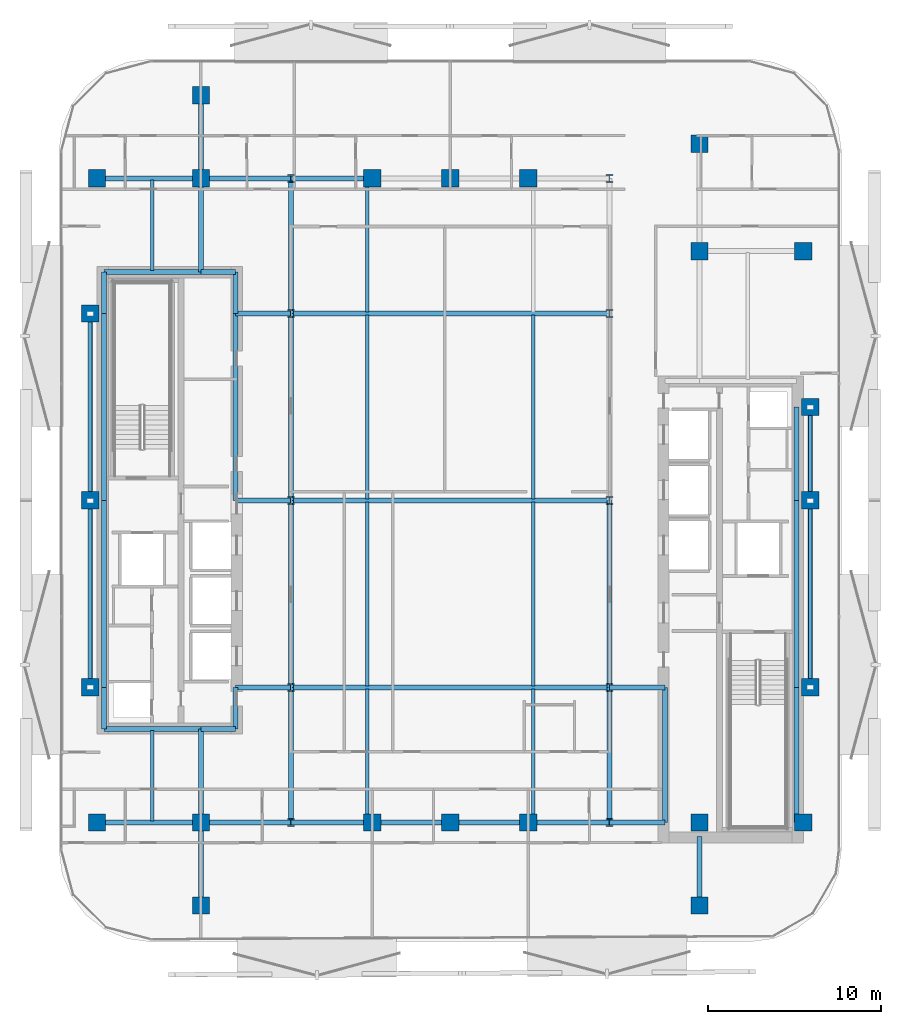
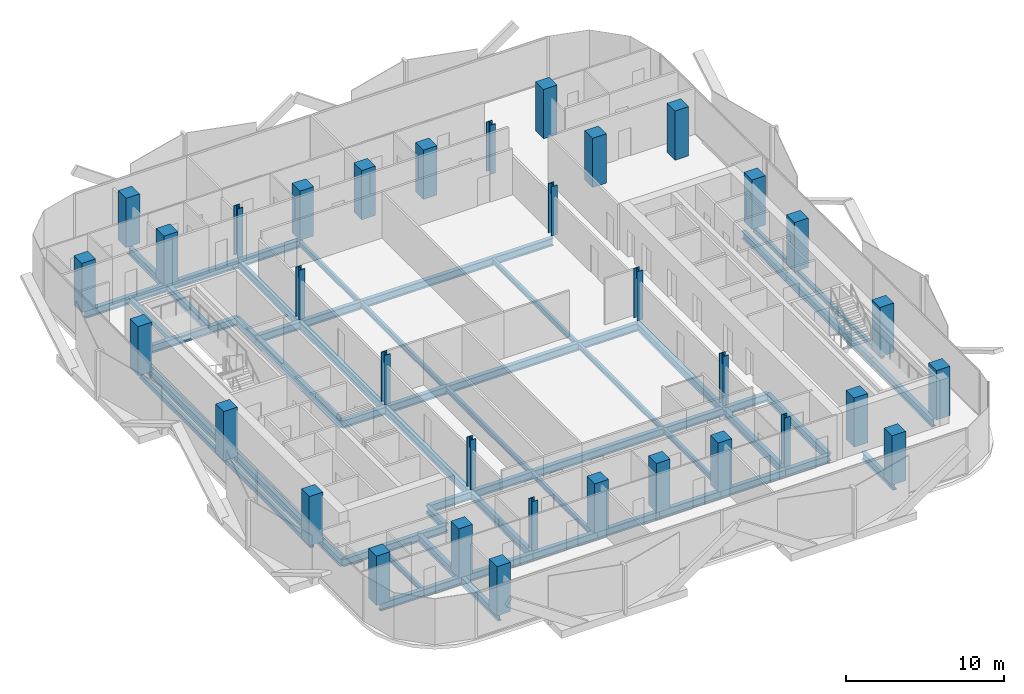
# One storey, part 1 of 17: 56 beams, 34 columns.
"""IFC4 building model written with IfcOpenShell, lengths in metres."""

from ifc_helpers import new_model, si_unit, direction, frame, origin, origin_2d, place, context, subcontext, project, spatial, rectangle, hollow_rectangle, i_section, extrude, material, material_profile, profile_set, type_object, element, save


model = new_model("IFC4")

# Units and contexts
model_context = context("Model", 3, precision=1e-05, world=origin(), true_north=direction((0.0, 1.0)))
body_context = subcontext(model_context, "Body", "Model", "MODEL_VIEW")
ifc_project = project(units=[si_unit("LENGTHUNIT", "METRE"), si_unit("AREAUNIT", "SQUARE_METRE"), si_unit("VOLUMEUNIT", "CUBIC_METRE"), si_unit("PLANEANGLEUNIT", "RADIAN"), si_unit("MASSUNIT", "GRAM", prefix="KILO")], contexts=[model_context])

# Site, building, storey
site_placement = place(None, origin())
site = spatial("IfcSite", under=ifc_project, at=site_placement, CompositionType="ELEMENT")
building_placement = place(site_placement, origin())
building = spatial("IfcBuilding", under=site, at=building_placement, Name="Khairoan Windgate Tower", CompositionType="ELEMENT")
storey_placement = place(building_placement, frame((0.0, 0.0, 180.199951171875)))
storey = spatial("IfcBuildingStorey", under=building, at=storey_placement, Name="L41", CompositionType="ELEMENT", Elevation=180.199951171875)

# Columns
ifc_material_1 = material(Name="Concrete C50/60", Category="concrete")
ifc_material_profile_1 = material_profile(ifc_material_1, rectangle(XDim=1.0, YDim=1.0, at=origin_2d()))
ifc_profile_set_1 = profile_set([ifc_material_profile_1], Name="Concrete C50/60")
column_type_1 = type_object("IfcColumnType", Name="Column C-T4 RC1000x1000", PredefinedType="COLUMN", material=ifc_profile_set_1)
for number, where, z_axis, x_axis, name in (
    (1, (-20.39990234375, -18.60009765625, 0.0), (0.0, 0.0, 1.0), (1.0, 0.0, 0.0), "Column L41-11"),
    (2, (-20.39990234375, 18.60009765625, 0.0), (0.0, 0.0, 1.0), (1.0, 0.0, 0.0), "Column L41-12"),
    (3, (20.39990234375, -18.60009765625, 0.0), (0.0, 0.0, 1.0), (1.0, 0.0, 0.0), "Column L41-13"),
    (4, (20.39990234375, 14.39990234375, 0.0), (0.0, 0.0, 1.0), (1.0, 0.0, 0.0), "Column L41-14"),
    (5, (-14.39990234375, -18.60009765625, 0.0), (0.0, 0.0, 1.0), (1.0, 0.0, 0.0), "Column L41-15"),
    (6, (-14.39990234375, 18.60009765625, 0.0), (0.0, 0.0, 1.0), (1.0, 0.0, 0.0), "Column L41-16"),
    (7, (14.39990234375, -18.60009765625, 0.0), (0.0, 0.0, 1.0), (1.0, 0.0, 0.0), "Column L41-17"),
    (8, (14.39990234375, 14.39990234375, 0.0), (0.0, 0.0, 1.0), (1.0, 0.0, 0.0), "Column L41-18"),
    (9, (-4.5, -18.60009765625, 0.0), (0.0, 0.0, 1.0), (1.0, 0.0, 0.0), "Column L41-19"),
    (10, (0.0, -18.60009765625, 0.0), (0.0, 0.0, 1.0), (1.0, 0.0, 0.0), "Column L41-20"),
    (11, (4.5, -18.60009765625, 0.0), (0.0, 0.0, 1.0), (1.0, 0.0, 0.0), "Column L41-21"),
    (12, (-4.5, 18.60009765625, 0.0), (0.0, 0.0, 1.0), (1.0, 0.0, 0.0), "Column L41-22"),
    (13, (0.0, 18.60009765625, 0.0), (0.0, 0.0, 1.0), (1.0, 0.0, 0.0), "Column L41-23"),
    (14, (4.5, 18.60009765625, 0.0), (0.0, 0.0, 1.0), (1.0, 0.0, 0.0), "Column L41-24"),
    (15, (-20.800048828125, -10.800048828125, 0.0), (0.0, 0.0, 1.0), (1.0, 0.0, 0.0), "Column L41-25"),
    (16, (-20.800048828125, 0.0, 0.0), (0.0, 0.0, 1.0), (1.0, 0.0, 0.0), "Column L41-26"),
    (17, (-20.800048828125, 10.800048828125, 0.0), (0.0, 0.0, 1.0), (1.0, 0.0, 0.0), "Column L41-27"),
    (18, (20.800048828125, -10.800048828125, 0.0), (0.0, 0.0, 1.0), (1.0, 0.0, 0.0), "Column L41-28"),
    (19, (20.800048828125, 0.0, 0.0), (0.0, 0.0, 1.0), (1.0, 0.0, 0.0), "Column L41-29"),
    (20, (20.800048828125, 5.39990234375, 0.0), (0.0, 0.0, 1.0), (1.0, 0.0, 0.0), "Column L41-30"),
    (21, (-14.39990234375, -23.39990234375, 0.0), (0.0, 0.0, 1.0), (1.0, 0.0, 0.0), "Column L41-31"),
    (22, (-14.39990234375, 23.39990234375, 0.0), (0.0, 0.0, 1.0), (1.0, 0.0, 0.0), "Column L41-32"),
    (23, (14.39990234375, -23.39990234375, 0.0), (0.0, 0.0, 1.0), (1.0, 0.0, 0.0), "Column L41-33"),
    (24, (14.39990234375, 20.60009765625, 0.0), (0.0, 0.0, 1.0), (1.0, 0.0, 0.0), "Column L41-34"),
):
    element("IfcColumn", number, at=place(storey_placement, frame(where, z_axis=z_axis, x_axis=x_axis)), inside=storey, type_object=column_type_1, Name=name, PredefinedType="COLUMN", context=body_context, shape_type="SweptSolid", body=[
        extrude(rectangle(XDim=1.0, YDim=1.0, at=origin_2d()), origin(), (0.0, 0.0, 1.0), 3.800048828125),
    ])
ifc_material_2 = material(Name="Steel S355", Category="steel")
ifc_material_profile_2 = material_profile(ifc_material_2, i_section(OverallWidth=0.4169921875, OverallDepth=0.4580078125, WebThickness=0.030029296875, FlangeThickness=0.050048828125, FilletRadius=0.02197265625, at=origin_2d()))
ifc_profile_set_2 = profile_set([ifc_material_profile_2], Name="Steel S355")
column_type_2 = type_object("IfcColumnType", Name="Steel Column SC2 H458x417x30x50", PredefinedType="COLUMN", material=ifc_profile_set_2)
for number, where, z_axis, x_axis, name in (
    (25, (-9.199951171875, -18.60009765625, 0.0), (0.0, 0.0, 1.0), (1.0, 0.0, 0.0), "Column L41-01"),
    (26, (-9.199951171875, -10.800048828125, 0.0), (0.0, 0.0, 1.0), (1.0, 0.0, 0.0), "Column L41-02"),
    (27, (-9.199951171875, 0.0, 0.0), (0.0, 0.0, 1.0), (1.0, 0.0, 0.0), "Column L41-03"),
    (28, (-9.199951171875, 10.800048828125, 0.0), (0.0, 0.0, 1.0), (1.0, 0.0, 0.0), "Column L41-04"),
    (29, (-9.199951171875, 18.60009765625, 0.0), (0.0, 0.0, 1.0), (1.0, 0.0, 0.0), "Column L41-05"),
    (30, (9.199951171875, -18.60009765625, 0.0), (0.0, 0.0, 1.0), (1.0, 0.0, 0.0), "Column L41-06"),
    (31, (9.199951171875, -10.800048828125, 0.0), (0.0, 0.0, 1.0), (1.0, 0.0, 0.0), "Column L41-07"),
    (32, (9.199951171875, 0.0, 0.0), (0.0, 0.0, 1.0), (1.0, 0.0, 0.0), "Column L41-08"),
    (33, (9.199951171875, 10.800048828125, 0.0), (0.0, 0.0, 1.0), (1.0, 0.0, 0.0), "Column L41-09"),
    (34, (9.199951171875, 18.60009765625, 0.0), (0.0, 0.0, 1.0), (1.0, 0.0, 0.0), "Column L41-10"),
):
    element("IfcColumn", number, at=place(storey_placement, frame(where, z_axis=z_axis, x_axis=x_axis)), inside=storey, type_object=column_type_2, Name=name, PredefinedType="COLUMN", context=body_context, shape_type="SweptSolid", body=[
        extrude(i_section(OverallWidth=0.4169921875, OverallDepth=0.4580078125, WebThickness=0.030029296875, FlangeThickness=0.050048828125, FilletRadius=0.02197265625, at=origin_2d()), origin(), (0.0, 0.0, 1.0), 3.800048828125),
    ])

# Beams
ifc_material_3 = material(Name="Steel S355", Category="steel")
ifc_material_profile_3 = material_profile(ifc_material_3, i_section(OverallWidth=0.300048828125, OverallDepth=0.587890625, WebThickness=0.011962890625, FlangeThickness=0.02001953125, FilletRadius=0.02392578125, at=origin_2d()))
ifc_profile_set_3 = profile_set([ifc_material_profile_3], Name="Steel S355")
beam_type_1 = type_object("IfcBeamType", Name="Beam B-G4 H588x300x12x20", PredefinedType="BEAM", material=ifc_profile_set_3)
beam_1_placement = place(storey_placement, frame((-20.39990234375, -18.60009765625, -0.553955078125), z_axis=(1.0, 0.0, 0.0), x_axis=(0.0, 1.0, 0.0)))
element("IfcBeam", 35, at=beam_1_placement, inside=storey, type_object=beam_type_1, Name="L41 E-W Primary Girder 01", PredefinedType="BEAM", context=body_context, shape_type="SweptSolid", body=[
    extrude(i_section(OverallWidth=0.300048828125, OverallDepth=0.587890625, WebThickness=0.011962890625, FlangeThickness=0.02001953125, FilletRadius=0.02392578125, at=origin_2d()), origin(), (0.0, 0.0, 1.0), 6.0),
])
beam_2_placement = place(storey_placement, frame((-14.39990234375, -18.60009765625, -0.553955078125), z_axis=(1.0, 0.0, 0.0), x_axis=(0.0, 1.0, 0.0)))
element("IfcBeam", 36, at=beam_2_placement, inside=storey, type_object=beam_type_1, Name="L41 E-W Primary Girder 02", PredefinedType="BEAM", context=body_context, shape_type="SweptSolid", body=[
    extrude(i_section(OverallWidth=0.300048828125, OverallDepth=0.587890625, WebThickness=0.011962890625, FlangeThickness=0.02001953125, FilletRadius=0.02392578125, at=origin_2d()), origin(), (0.0, 0.0, 1.0), 5.199951171875),
])
beam_3_placement = place(storey_placement, frame((-9.199951171875, -18.60009765625, -0.553955078125), z_axis=(1.0, 0.0, 0.0), x_axis=(0.0, 1.0, 0.0)))
element("IfcBeam", 37, at=beam_3_placement, inside=storey, type_object=beam_type_1, Name="L41 E-W Primary Girder 03", PredefinedType="BEAM", context=body_context, shape_type="SweptSolid", body=[
    extrude(i_section(OverallWidth=0.300048828125, OverallDepth=0.587890625, WebThickness=0.011962890625, FlangeThickness=0.02001953125, FilletRadius=0.02392578125, at=origin_2d()), origin(), (0.0, 0.0, 1.0), 4.699951171875),
])
for number, where, z_axis, x_axis, name in (
    (38, (-4.5, -18.60009765625, -0.553955078125), (1.0, 0.0, 0.0), (0.0, 1.0, 0.0), "L41 E-W Primary Girder 04"),
    (39, (0.0, -18.60009765625, -0.553955078125), (1.0, 0.0, 0.0), (0.0, 1.0, 0.0), "L41 E-W Primary Girder 05"),
):
    element("IfcBeam", number, at=place(storey_placement, frame(where, z_axis=z_axis, x_axis=x_axis)), inside=storey, type_object=beam_type_1, Name=name, PredefinedType="BEAM", context=body_context, shape_type="SweptSolid", body=[
        extrude(i_section(OverallWidth=0.300048828125, OverallDepth=0.587890625, WebThickness=0.011962890625, FlangeThickness=0.02001953125, FilletRadius=0.02392578125, at=origin_2d()), origin(), (0.0, 0.0, 1.0), 4.5),
    ])
beam_4_placement = place(storey_placement, frame((4.5, -18.60009765625, -0.553955078125), z_axis=(1.0, 0.0, 0.0), x_axis=(0.0, 1.0, 0.0)))
element("IfcBeam", 40, at=beam_4_placement, inside=storey, type_object=beam_type_1, Name="L41 E-W Primary Girder 06", PredefinedType="BEAM", context=body_context, shape_type="SweptSolid", body=[
    extrude(i_section(OverallWidth=0.300048828125, OverallDepth=0.587890625, WebThickness=0.011962890625, FlangeThickness=0.02001953125, FilletRadius=0.02392578125, at=origin_2d()), origin(), (0.0, 0.0, 1.0), 4.699951171875),
])
beam_5_placement = place(storey_placement, frame((9.199951171875, -18.60009765625, -0.553955078125), z_axis=(1.0, 0.0, 0.0), x_axis=(0.0, 1.0, 0.0)))
element("IfcBeam", 41, at=beam_5_placement, inside=storey, type_object=beam_type_1, Name="L41 E-W Primary Girder 07", PredefinedType="BEAM", context=body_context, shape_type="SweptSolid", body=[
    extrude(i_section(OverallWidth=0.300048828125, OverallDepth=0.587890625, WebThickness=0.011962890625, FlangeThickness=0.02001953125, FilletRadius=0.02392578125, at=origin_2d()), origin(), (0.0, 0.0, 1.0), 3.199951171875),
])
beam_6_placement = place(storey_placement, frame((-20.0, -13.199951171875, -0.553955078125), z_axis=(1.0, 0.0, 0.0), x_axis=(0.0, 1.0, 0.0)))
element("IfcBeam", 42, at=beam_6_placement, inside=storey, type_object=beam_type_1, Name="L41 E-W Primary Girder 08", PredefinedType="BEAM", context=body_context, shape_type="SweptSolid", body=[
    extrude(i_section(OverallWidth=0.300048828125, OverallDepth=0.587890625, WebThickness=0.011962890625, FlangeThickness=0.02001953125, FilletRadius=0.02392578125, at=origin_2d()), origin(), (0.0, 0.0, 1.0), 5.60009765625),
])
beam_7_placement = place(storey_placement, frame((-14.39990234375, -13.199951171875, -0.553955078125), z_axis=(1.0, 0.0, 0.0), x_axis=(0.0, 1.0, 0.0)))
element("IfcBeam", 43, at=beam_7_placement, inside=storey, type_object=beam_type_1, Name="L41 E-W Primary Girder 09", PredefinedType="BEAM", context=body_context, shape_type="SweptSolid", body=[
    extrude(i_section(OverallWidth=0.300048828125, OverallDepth=0.587890625, WebThickness=0.011962890625, FlangeThickness=0.02001953125, FilletRadius=0.02392578125, at=origin_2d()), origin(), (0.0, 0.0, 1.0), 2.0),
])
beam_8_placement = place(storey_placement, frame((-12.39990234375, -10.800048828125, -0.553955078125), z_axis=(1.0, 0.0, 0.0), x_axis=(0.0, 1.0, 0.0)))
element("IfcBeam", 44, at=beam_8_placement, inside=storey, type_object=beam_type_1, Name="L41 E-W Primary Girder 10", PredefinedType="BEAM", context=body_context, shape_type="SweptSolid", body=[
    extrude(i_section(OverallWidth=0.300048828125, OverallDepth=0.587890625, WebThickness=0.011962890625, FlangeThickness=0.02001953125, FilletRadius=0.02392578125, at=origin_2d()), origin(), (0.0, 0.0, 1.0), 3.199951171875),
])
beam_9_placement = place(storey_placement, frame((-9.199951171875, -10.800048828125, -0.553955078125), z_axis=(1.0, 0.0, 0.0), x_axis=(0.0, 1.0, 0.0)))
element("IfcBeam", 45, at=beam_9_placement, inside=storey, type_object=beam_type_1, Name="L41 E-W Primary Girder 11", PredefinedType="BEAM", context=body_context, shape_type="SweptSolid", body=[
    extrude(i_section(OverallWidth=0.300048828125, OverallDepth=0.587890625, WebThickness=0.011962890625, FlangeThickness=0.02001953125, FilletRadius=0.02392578125, at=origin_2d()), origin(), (0.0, 0.0, 1.0), 18.39990234375),
])
for number, where, z_axis, x_axis, name in (
    (46, (9.199951171875, -10.800048828125, -0.553955078125), (1.0, 0.0, 0.0), (0.0, 1.0, 0.0), "L41 E-W Primary Girder 12"),
    (47, (-12.39990234375, 0.0, -0.553955078125), (1.0, 0.0, 0.0), (0.0, 1.0, 0.0), "L41 E-W Primary Girder 13"),
):
    element("IfcBeam", number, at=place(storey_placement, frame(where, z_axis=z_axis, x_axis=x_axis)), inside=storey, type_object=beam_type_1, Name=name, PredefinedType="BEAM", context=body_context, shape_type="SweptSolid", body=[
        extrude(i_section(OverallWidth=0.300048828125, OverallDepth=0.587890625, WebThickness=0.011962890625, FlangeThickness=0.02001953125, FilletRadius=0.02392578125, at=origin_2d()), origin(), (0.0, 0.0, 1.0), 3.199951171875),
    ])
beam_10_placement = place(storey_placement, frame((-9.199951171875, 0.0, -0.553955078125), z_axis=(1.0, 0.0, 0.0), x_axis=(0.0, 1.0, 0.0)))
element("IfcBeam", 48, at=beam_10_placement, inside=storey, type_object=beam_type_1, Name="L41 E-W Primary Girder 14", PredefinedType="BEAM", context=body_context, shape_type="SweptSolid", body=[
    extrude(i_section(OverallWidth=0.300048828125, OverallDepth=0.587890625, WebThickness=0.011962890625, FlangeThickness=0.02001953125, FilletRadius=0.02392578125, at=origin_2d()), origin(), (0.0, 0.0, 1.0), 18.39990234375),
])
beam_11_placement = place(storey_placement, frame((-12.39990234375, 10.800048828125, -0.553955078125), z_axis=(1.0, 0.0, 0.0), x_axis=(0.0, 1.0, 0.0)))
element("IfcBeam", 49, at=beam_11_placement, inside=storey, type_object=beam_type_1, Name="L41 E-W Primary Girder 17", PredefinedType="BEAM", context=body_context, shape_type="SweptSolid", body=[
    extrude(i_section(OverallWidth=0.300048828125, OverallDepth=0.587890625, WebThickness=0.011962890625, FlangeThickness=0.02001953125, FilletRadius=0.02392578125, at=origin_2d()), origin(), (0.0, 0.0, 1.0), 3.199951171875),
])
beam_12_placement = place(storey_placement, frame((-9.199951171875, 10.800048828125, -0.553955078125), z_axis=(1.0, 0.0, 0.0), x_axis=(0.0, 1.0, 0.0)))
element("IfcBeam", 50, at=beam_12_placement, inside=storey, type_object=beam_type_1, Name="L41 E-W Primary Girder 18", PredefinedType="BEAM", context=body_context, shape_type="SweptSolid", body=[
    extrude(i_section(OverallWidth=0.300048828125, OverallDepth=0.587890625, WebThickness=0.011962890625, FlangeThickness=0.02001953125, FilletRadius=0.02392578125, at=origin_2d()), origin(), (0.0, 0.0, 1.0), 18.39990234375),
])
beam_13_placement = place(storey_placement, frame((-20.0, 13.199951171875, -0.553955078125), z_axis=(1.0, 0.0, 0.0), x_axis=(0.0, 1.0, 0.0)))
element("IfcBeam", 51, at=beam_13_placement, inside=storey, type_object=beam_type_1, Name="L41 E-W Primary Girder 19", PredefinedType="BEAM", context=body_context, shape_type="SweptSolid", body=[
    extrude(i_section(OverallWidth=0.300048828125, OverallDepth=0.587890625, WebThickness=0.011962890625, FlangeThickness=0.02001953125, FilletRadius=0.02392578125, at=origin_2d()), origin(), (0.0, 0.0, 1.0), 5.60009765625),
])
beam_14_placement = place(storey_placement, frame((-14.39990234375, 13.199951171875, -0.553955078125), z_axis=(1.0, 0.0, 0.0), x_axis=(0.0, 1.0, 0.0)))
element("IfcBeam", 52, at=beam_14_placement, inside=storey, type_object=beam_type_1, Name="L41 E-W Primary Girder 20", PredefinedType="BEAM", context=body_context, shape_type="SweptSolid", body=[
    extrude(i_section(OverallWidth=0.300048828125, OverallDepth=0.587890625, WebThickness=0.011962890625, FlangeThickness=0.02001953125, FilletRadius=0.02392578125, at=origin_2d()), origin(), (0.0, 0.0, 1.0), 2.0),
])
beam_15_placement = place(storey_placement, frame((-20.39990234375, 18.60009765625, -0.553955078125), z_axis=(1.0, 0.0, 0.0), x_axis=(0.0, 1.0, 0.0)))
element("IfcBeam", 53, at=beam_15_placement, inside=storey, type_object=beam_type_1, Name="L41 E-W Primary Girder 22", PredefinedType="BEAM", context=body_context, shape_type="SweptSolid", body=[
    extrude(i_section(OverallWidth=0.300048828125, OverallDepth=0.587890625, WebThickness=0.011962890625, FlangeThickness=0.02001953125, FilletRadius=0.02392578125, at=origin_2d()), origin(), (0.0, 0.0, 1.0), 6.0),
])
beam_16_placement = place(storey_placement, frame((-14.39990234375, 18.60009765625, -0.553955078125), z_axis=(1.0, 0.0, 0.0), x_axis=(0.0, 1.0, 0.0)))
element("IfcBeam", 54, at=beam_16_placement, inside=storey, type_object=beam_type_1, Name="L41 E-W Primary Girder 23", PredefinedType="BEAM", context=body_context, shape_type="SweptSolid", body=[
    extrude(i_section(OverallWidth=0.300048828125, OverallDepth=0.587890625, WebThickness=0.011962890625, FlangeThickness=0.02001953125, FilletRadius=0.02392578125, at=origin_2d()), origin(), (0.0, 0.0, 1.0), 5.199951171875),
])
beam_17_placement = place(storey_placement, frame((-9.199951171875, 18.60009765625, -0.553955078125), z_axis=(1.0, 0.0, 0.0), x_axis=(0.0, 1.0, 0.0)))
element("IfcBeam", 55, at=beam_17_placement, inside=storey, type_object=beam_type_1, Name="L41 E-W Primary Girder 24", PredefinedType="BEAM", context=body_context, shape_type="SweptSolid", body=[
    extrude(i_section(OverallWidth=0.300048828125, OverallDepth=0.587890625, WebThickness=0.011962890625, FlangeThickness=0.02001953125, FilletRadius=0.02392578125, at=origin_2d()), origin(), (0.0, 0.0, 1.0), 4.699951171875),
])
beam_18_placement = place(storey_placement, frame((-20.0, -13.199951171875, -0.553955078125), z_axis=(0.0, 1.0, 0.0), x_axis=(-1.0, 0.0, 0.0)))
element("IfcBeam", 56, at=beam_18_placement, inside=storey, type_object=beam_type_1, Name="L41 N-S Primary Beam 30", PredefinedType="BEAM", context=body_context, shape_type="SweptSolid", body=[
    extrude(i_section(OverallWidth=0.300048828125, OverallDepth=0.587890625, WebThickness=0.011962890625, FlangeThickness=0.02001953125, FilletRadius=0.02392578125, at=origin_2d()), origin(), (0.0, 0.0, 1.0), 2.39990234375),
])
for number, where, z_axis, x_axis, name in (
    (57, (-20.0, -10.800048828125, -0.553955078125), (0.0, 1.0, 0.0), (-1.0, 0.0, 0.0), "L41 N-S Primary Beam 31"),
    (58, (-20.0, 0.0, -0.553955078125), (0.0, 1.0, 0.0), (-1.0, 0.0, 0.0), "L41 N-S Primary Beam 32"),
):
    element("IfcBeam", number, at=place(storey_placement, frame(where, z_axis=z_axis, x_axis=x_axis)), inside=storey, type_object=beam_type_1, Name=name, PredefinedType="BEAM", context=body_context, shape_type="SweptSolid", body=[
        extrude(i_section(OverallWidth=0.300048828125, OverallDepth=0.587890625, WebThickness=0.011962890625, FlangeThickness=0.02001953125, FilletRadius=0.02392578125, at=origin_2d()), origin(), (0.0, 0.0, 1.0), 10.800048828125),
    ])
beam_19_placement = place(storey_placement, frame((-20.0, 10.800048828125, -0.553955078125), z_axis=(0.0, 1.0, 0.0), x_axis=(-1.0, 0.0, 0.0)))
element("IfcBeam", 59, at=beam_19_placement, inside=storey, type_object=beam_type_1, Name="L41 N-S Primary Beam 33", PredefinedType="BEAM", context=body_context, shape_type="SweptSolid", body=[
    extrude(i_section(OverallWidth=0.300048828125, OverallDepth=0.587890625, WebThickness=0.011962890625, FlangeThickness=0.02001953125, FilletRadius=0.02392578125, at=origin_2d()), origin(), (0.0, 0.0, 1.0), 2.39990234375),
])
beam_20_placement = place(storey_placement, frame((-14.39990234375, -23.39990234375, -0.553955078125), z_axis=(0.0, 1.0, 0.0), x_axis=(-1.0, 0.0, 0.0)))
element("IfcBeam", 60, at=beam_20_placement, inside=storey, type_object=beam_type_1, Name="L41 N-S Primary Beam 34", PredefinedType="BEAM", context=body_context, shape_type="SweptSolid", body=[
    extrude(i_section(OverallWidth=0.300048828125, OverallDepth=0.587890625, WebThickness=0.011962890625, FlangeThickness=0.02001953125, FilletRadius=0.02392578125, at=origin_2d()), origin(), (0.0, 0.0, 1.0), 4.7998046875),
])
for number, where, z_axis, x_axis, name in (
    (61, (-14.39990234375, -18.60009765625, -0.553955078125), (0.0, 1.0, 0.0), (-1.0, 0.0, 0.0), "L41 N-S Primary Beam 35"),
    (62, (-14.39990234375, 13.199951171875, -0.553955078125), (0.0, 1.0, 0.0), (-1.0, 0.0, 0.0), "L41 N-S Primary Beam 36"),
):
    element("IfcBeam", number, at=place(storey_placement, frame(where, z_axis=z_axis, x_axis=x_axis)), inside=storey, type_object=beam_type_1, Name=name, PredefinedType="BEAM", context=body_context, shape_type="SweptSolid", body=[
        extrude(i_section(OverallWidth=0.300048828125, OverallDepth=0.587890625, WebThickness=0.011962890625, FlangeThickness=0.02001953125, FilletRadius=0.02392578125, at=origin_2d()), origin(), (0.0, 0.0, 1.0), 5.400146484375),
    ])
beam_21_placement = place(storey_placement, frame((-14.39990234375, 18.60009765625, -0.553955078125), z_axis=(0.0, 1.0, 0.0), x_axis=(-1.0, 0.0, 0.0)))
element("IfcBeam", 63, at=beam_21_placement, inside=storey, type_object=beam_type_1, Name="L41 N-S Primary Beam 37", PredefinedType="BEAM", context=body_context, shape_type="SweptSolid", body=[
    extrude(i_section(OverallWidth=0.300048828125, OverallDepth=0.587890625, WebThickness=0.011962890625, FlangeThickness=0.02001953125, FilletRadius=0.02392578125, at=origin_2d()), origin(), (0.0, 0.0, 1.0), 4.7998046875),
])
beam_22_placement = place(storey_placement, frame((-12.39990234375, -13.199951171875, -0.553955078125), z_axis=(0.0, 1.0, 0.0), x_axis=(-1.0, 0.0, 0.0)))
element("IfcBeam", 64, at=beam_22_placement, inside=storey, type_object=beam_type_1, Name="L41 N-S Primary Beam 38", PredefinedType="BEAM", context=body_context, shape_type="SweptSolid", body=[
    extrude(i_section(OverallWidth=0.300048828125, OverallDepth=0.587890625, WebThickness=0.011962890625, FlangeThickness=0.02001953125, FilletRadius=0.02392578125, at=origin_2d()), origin(), (0.0, 0.0, 1.0), 2.39990234375),
])
beam_23_placement = place(storey_placement, frame((-12.39990234375, 0.0, -0.553955078125), z_axis=(0.0, 1.0, 0.0), x_axis=(-1.0, 0.0, 0.0)))
element("IfcBeam", 65, at=beam_23_placement, inside=storey, type_object=beam_type_1, Name="L41 N-S Primary Beam 39", PredefinedType="BEAM", context=body_context, shape_type="SweptSolid", body=[
    extrude(i_section(OverallWidth=0.300048828125, OverallDepth=0.587890625, WebThickness=0.011962890625, FlangeThickness=0.02001953125, FilletRadius=0.02392578125, at=origin_2d()), origin(), (0.0, 0.0, 1.0), 10.800048828125),
])
beam_24_placement = place(storey_placement, frame((-12.39990234375, 10.800048828125, -0.553955078125), z_axis=(0.0, 1.0, 0.0), x_axis=(-1.0, 0.0, 0.0)))
element("IfcBeam", 66, at=beam_24_placement, inside=storey, type_object=beam_type_1, Name="L41 N-S Primary Beam 40", PredefinedType="BEAM", context=body_context, shape_type="SweptSolid", body=[
    extrude(i_section(OverallWidth=0.300048828125, OverallDepth=0.587890625, WebThickness=0.011962890625, FlangeThickness=0.02001953125, FilletRadius=0.02392578125, at=origin_2d()), origin(), (0.0, 0.0, 1.0), 2.39990234375),
])
beam_25_placement = place(storey_placement, frame((-9.199951171875, -18.60009765625, -0.553955078125), z_axis=(0.0, 1.0, 0.0), x_axis=(-1.0, 0.0, 0.0)))
element("IfcBeam", 67, at=beam_25_placement, inside=storey, type_object=beam_type_1, Name="L41 N-S Primary Beam 41", PredefinedType="BEAM", context=body_context, shape_type="SweptSolid", body=[
    extrude(i_section(OverallWidth=0.300048828125, OverallDepth=0.587890625, WebThickness=0.011962890625, FlangeThickness=0.02001953125, FilletRadius=0.02392578125, at=origin_2d()), origin(), (0.0, 0.0, 1.0), 7.800048828125),
])
for number, where, z_axis, x_axis, name in (
    (68, (-9.199951171875, -10.800048828125, -0.553955078125), (0.0, 1.0, 0.0), (-1.0, 0.0, 0.0), "L41 N-S Primary Beam 42"),
    (69, (-9.199951171875, 0.0, -0.553955078125), (0.0, 1.0, 0.0), (-1.0, 0.0, 0.0), "L41 N-S Primary Beam 43"),
):
    element("IfcBeam", number, at=place(storey_placement, frame(where, z_axis=z_axis, x_axis=x_axis)), inside=storey, type_object=beam_type_1, Name=name, PredefinedType="BEAM", context=body_context, shape_type="SweptSolid", body=[
        extrude(i_section(OverallWidth=0.300048828125, OverallDepth=0.587890625, WebThickness=0.011962890625, FlangeThickness=0.02001953125, FilletRadius=0.02392578125, at=origin_2d()), origin(), (0.0, 0.0, 1.0), 10.800048828125),
    ])
for number, where, z_axis, x_axis, name in (
    (70, (-9.199951171875, 10.800048828125, -0.553955078125), (0.0, 1.0, 0.0), (-1.0, 0.0, 0.0), "L41 N-S Primary Beam 44"),
    (71, (9.199951171875, -18.60009765625, -0.553955078125), (0.0, 1.0, 0.0), (-1.0, 0.0, 0.0), "L41 N-S Primary Beam 45"),
):
    element("IfcBeam", number, at=place(storey_placement, frame(where, z_axis=z_axis, x_axis=x_axis)), inside=storey, type_object=beam_type_1, Name=name, PredefinedType="BEAM", context=body_context, shape_type="SweptSolid", body=[
        extrude(i_section(OverallWidth=0.300048828125, OverallDepth=0.587890625, WebThickness=0.011962890625, FlangeThickness=0.02001953125, FilletRadius=0.02392578125, at=origin_2d()), origin(), (0.0, 0.0, 1.0), 7.800048828125),
    ])
beam_26_placement = place(storey_placement, frame((9.199951171875, -10.800048828125, -0.553955078125), z_axis=(0.0, 1.0, 0.0), x_axis=(-1.0, 0.0, 0.0)))
element("IfcBeam", 72, at=beam_26_placement, inside=storey, type_object=beam_type_1, Name="L41 N-S Primary Beam 46", PredefinedType="BEAM", context=body_context, shape_type="SweptSolid", body=[
    extrude(i_section(OverallWidth=0.300048828125, OverallDepth=0.587890625, WebThickness=0.011962890625, FlangeThickness=0.02001953125, FilletRadius=0.02392578125, at=origin_2d()), origin(), (0.0, 0.0, 1.0), 10.800048828125),
])
beam_27_placement = place(storey_placement, frame((12.39990234375, -18.60009765625, -0.553955078125), z_axis=(0.0, 1.0, 0.0), x_axis=(-1.0, 0.0, 0.0)))
element("IfcBeam", 73, at=beam_27_placement, inside=storey, type_object=beam_type_1, Name="L41 N-S Primary Beam 49", PredefinedType="BEAM", context=body_context, shape_type="SweptSolid", body=[
    extrude(i_section(OverallWidth=0.300048828125, OverallDepth=0.587890625, WebThickness=0.011962890625, FlangeThickness=0.02001953125, FilletRadius=0.02392578125, at=origin_2d()), origin(), (0.0, 0.0, 1.0), 7.800048828125),
])
beam_28_placement = place(storey_placement, frame((14.39990234375, -23.39990234375, -0.553955078125), z_axis=(0.0, 1.0, 0.0), x_axis=(-1.0, 0.0, 0.0)))
element("IfcBeam", 74, at=beam_28_placement, inside=storey, type_object=beam_type_1, Name="L41 N-S Primary Beam 50", PredefinedType="BEAM", context=body_context, shape_type="SweptSolid", body=[
    extrude(i_section(OverallWidth=0.300048828125, OverallDepth=0.587890625, WebThickness=0.011962890625, FlangeThickness=0.02001953125, FilletRadius=0.02392578125, at=origin_2d()), origin(), (0.0, 0.0, 1.0), 4.0),
])
beam_29_placement = place(storey_placement, frame((20.0, -18.60009765625, -0.553955078125), z_axis=(0.0, 1.0, 0.0), x_axis=(-1.0, 0.0, 0.0)))
element("IfcBeam", 75, at=beam_29_placement, inside=storey, type_object=beam_type_1, Name="L41 N-S Primary Beam 53", PredefinedType="BEAM", context=body_context, shape_type="SweptSolid", body=[
    extrude(i_section(OverallWidth=0.300048828125, OverallDepth=0.587890625, WebThickness=0.011962890625, FlangeThickness=0.02001953125, FilletRadius=0.02392578125, at=origin_2d()), origin(), (0.0, 0.0, 1.0), 7.800048828125),
])
beam_30_placement = place(storey_placement, frame((20.0, -10.800048828125, -0.553955078125), z_axis=(0.0, 1.0, 0.0), x_axis=(-1.0, 0.0, 0.0)))
element("IfcBeam", 76, at=beam_30_placement, inside=storey, type_object=beam_type_1, Name="L41 N-S Primary Beam 54", PredefinedType="BEAM", context=body_context, shape_type="SweptSolid", body=[
    extrude(i_section(OverallWidth=0.300048828125, OverallDepth=0.587890625, WebThickness=0.011962890625, FlangeThickness=0.02001953125, FilletRadius=0.02392578125, at=origin_2d()), origin(), (0.0, 0.0, 1.0), 10.800048828125),
])
beam_31_placement = place(storey_placement, frame((20.0, 0.0, -0.553955078125), z_axis=(0.0, 1.0, 0.0), x_axis=(-1.0, 0.0, 0.0)))
element("IfcBeam", 77, at=beam_31_placement, inside=storey, type_object=beam_type_1, Name="L41 N-S Primary Beam 55", PredefinedType="BEAM", context=body_context, shape_type="SweptSolid", body=[
    extrude(i_section(OverallWidth=0.300048828125, OverallDepth=0.587890625, WebThickness=0.011962890625, FlangeThickness=0.02001953125, FilletRadius=0.02392578125, at=origin_2d()), origin(), (0.0, 0.0, 1.0), 5.39990234375),
])
ifc_material_4 = material(Name="Steel S355", Category="steel")
ifc_material_profile_4 = material_profile(ifc_material_4, i_section(OverallWidth=0.199951171875, OverallDepth=0.39990234375, WebThickness=0.008056640625, FlangeThickness=0.012939453125, FilletRadius=0.01611328125, at=origin_2d()))
ifc_profile_set_4 = profile_set([ifc_material_profile_4], Name="Steel S355")
beam_type_2 = type_object("IfcBeamType", Name="Beam J-S4 H400x200x8x13", PredefinedType="JOIST", material=ifc_profile_set_4)
for number, where, z_axis, x_axis, name in (
    (78, (-17.199951171875, -18.510009765625, -0.4599609375), (0.0, 1.0, 0.0), (-1.0, 0.0, 0.0), "L41 Secondary Floor Joist 01"),
    (79, (-17.199951171875, 13.2900390625, -0.4599609375), (0.0, 1.0, 0.0), (-1.0, 0.0, 0.0), "L41 Secondary Floor Joist 02"),
):
    element("IfcBeam", number, at=place(storey_placement, frame(where, z_axis=z_axis, x_axis=x_axis)), inside=storey, type_object=beam_type_2, Name=name, PredefinedType="JOIST", context=body_context, shape_type="SweptSolid", body=[
        extrude(i_section(OverallWidth=0.199951171875, OverallDepth=0.39990234375, WebThickness=0.008056640625, FlangeThickness=0.012939453125, FilletRadius=0.01611328125, at=origin_2d()), origin(), (0.0, 0.0, 1.0), 5.219970703125),
    ])
beam_32_placement = place(storey_placement, frame((-4.800048828125, -18.510009765625, -0.4599609375), z_axis=(0.0, 1.0, 0.0), x_axis=(-1.0, 0.0, 0.0)))
element("IfcBeam", 80, at=beam_32_placement, inside=storey, type_object=beam_type_2, Name="L41 Secondary Floor Joist 03", PredefinedType="JOIST", context=body_context, shape_type="SweptSolid", body=[
    extrude(i_section(OverallWidth=0.199951171875, OverallDepth=0.39990234375, WebThickness=0.008056640625, FlangeThickness=0.012939453125, FilletRadius=0.01611328125, at=origin_2d()), origin(), (0.0, 0.0, 1.0), 7.6201171875),
])
for number, where, z_axis, x_axis, name in (
    (81, (-4.800048828125, -10.7099609375, -0.4599609375), (0.0, 1.0, 0.0), (-1.0, 0.0, 0.0), "L41 Secondary Floor Joist 04"),
    (82, (-4.800048828125, 0.090087890625, -0.4599609375), (0.0, 1.0, 0.0), (-1.0, 0.0, 0.0), "L41 Secondary Floor Joist 05"),
):
    element("IfcBeam", number, at=place(storey_placement, frame(where, z_axis=z_axis, x_axis=x_axis)), inside=storey, type_object=beam_type_2, Name=name, PredefinedType="JOIST", context=body_context, shape_type="SweptSolid", body=[
        extrude(i_section(OverallWidth=0.199951171875, OverallDepth=0.39990234375, WebThickness=0.008056640625, FlangeThickness=0.012939453125, FilletRadius=0.01611328125, at=origin_2d()), origin(), (0.0, 0.0, 1.0), 10.619873046875),
    ])
for number, where, z_axis, x_axis, name in (
    (83, (-4.800048828125, 10.889892578125, -0.4599609375), (0.0, 1.0, 0.0), (-1.0, 0.0, 0.0), "L41 Secondary Floor Joist 06"),
    (84, (4.800048828125, -18.510009765625, -0.4599609375), (0.0, 1.0, 0.0), (-1.0, 0.0, 0.0), "L41 Secondary Floor Joist 07"),
):
    element("IfcBeam", number, at=place(storey_placement, frame(where, z_axis=z_axis, x_axis=x_axis)), inside=storey, type_object=beam_type_2, Name=name, PredefinedType="JOIST", context=body_context, shape_type="SweptSolid", body=[
        extrude(i_section(OverallWidth=0.199951171875, OverallDepth=0.39990234375, WebThickness=0.008056640625, FlangeThickness=0.012939453125, FilletRadius=0.01611328125, at=origin_2d()), origin(), (0.0, 0.0, 1.0), 7.6201171875),
    ])
for number, where, z_axis, x_axis, name in (
    (85, (4.800048828125, -10.7099609375, -0.4599609375), (0.0, 1.0, 0.0), (-1.0, 0.0, 0.0), "L41 Secondary Floor Joist 08"),
    (86, (4.800048828125, 0.090087890625, -0.4599609375), (0.0, 1.0, 0.0), (-1.0, 0.0, 0.0), "L41 Secondary Floor Joist 09"),
):
    element("IfcBeam", number, at=place(storey_placement, frame(where, z_axis=z_axis, x_axis=x_axis)), inside=storey, type_object=beam_type_2, Name=name, PredefinedType="JOIST", context=body_context, shape_type="SweptSolid", body=[
        extrude(i_section(OverallWidth=0.199951171875, OverallDepth=0.39990234375, WebThickness=0.008056640625, FlangeThickness=0.012939453125, FilletRadius=0.01611328125, at=origin_2d()), origin(), (0.0, 0.0, 1.0), 10.619873046875),
    ])
ifc_material_5 = material(Name="Steel S355", Category="steel")
ifc_material_profile_5 = material_profile(ifc_material_5, hollow_rectangle(XDim=0.25, YDim=0.35009765625, WallThickness=0.012451171875, InnerFilletRadius=0.012451171875, OuterFilletRadius=0.02490234375, at=origin_2d()))
ifc_profile_set_5 = profile_set([ifc_material_profile_5], Name="Steel S355")
beam_type_3 = type_object("IfcBeamType", Name="Beam SP-B2 RHS350x250x12.5", PredefinedType="SPANDREL", material=ifc_profile_set_5)
for number, where, z_axis, x_axis, name in (
    (87, (-20.800048828125, -10.800048828125, -0.43505859375), (0.0, 1.0, 0.0), (-1.0, 0.0, 0.0), "L41 Spandrel Beam 28"),
    (88, (-20.800048828125, 0.0, -0.43505859375), (0.0, 1.0, 0.0), (-1.0, 0.0, 0.0), "L41 Spandrel Beam 29"),
    (89, (20.800048828125, -10.800048828125, -0.43505859375), (0.0, 1.0, 0.0), (-1.0, 0.0, 0.0), "L41 Spandrel Beam 56"),
):
    element("IfcBeam", number, at=place(storey_placement, frame(where, z_axis=z_axis, x_axis=x_axis)), inside=storey, type_object=beam_type_3, Name=name, PredefinedType="SPANDREL", context=body_context, shape_type="SweptSolid", body=[
        extrude(hollow_rectangle(XDim=0.25, YDim=0.35009765625, WallThickness=0.012451171875, InnerFilletRadius=0.012451171875, OuterFilletRadius=0.02490234375, at=origin_2d()), origin(), (0.0, 0.0, 1.0), 10.800048828125),
    ])
beam_33_placement = place(storey_placement, frame((20.800048828125, 0.0, -0.43505859375), z_axis=(0.0, 1.0, 0.0), x_axis=(-1.0, 0.0, 0.0)))
element("IfcBeam", 90, at=beam_33_placement, inside=storey, type_object=beam_type_3, Name="L41 Spandrel Beam 57", PredefinedType="SPANDREL", context=body_context, shape_type="SweptSolid", body=[
    extrude(hollow_rectangle(XDim=0.25, YDim=0.35009765625, WallThickness=0.012451171875, InnerFilletRadius=0.012451171875, OuterFilletRadius=0.02490234375, at=origin_2d()), origin(), (0.0, 0.0, 1.0), 5.39990234375),
])

save(model, "model.ifc")
